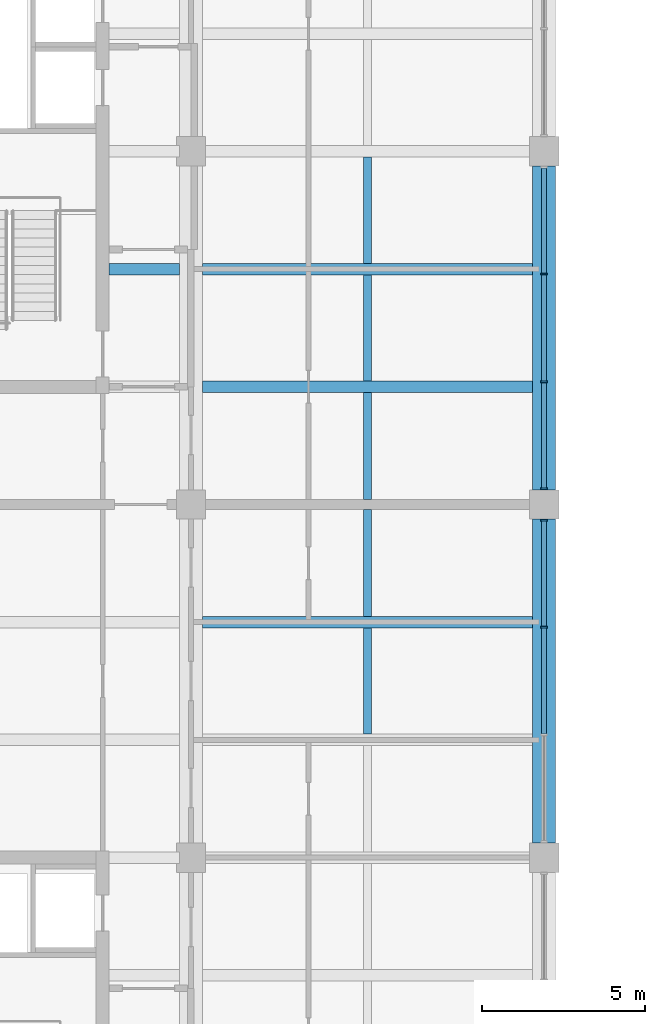
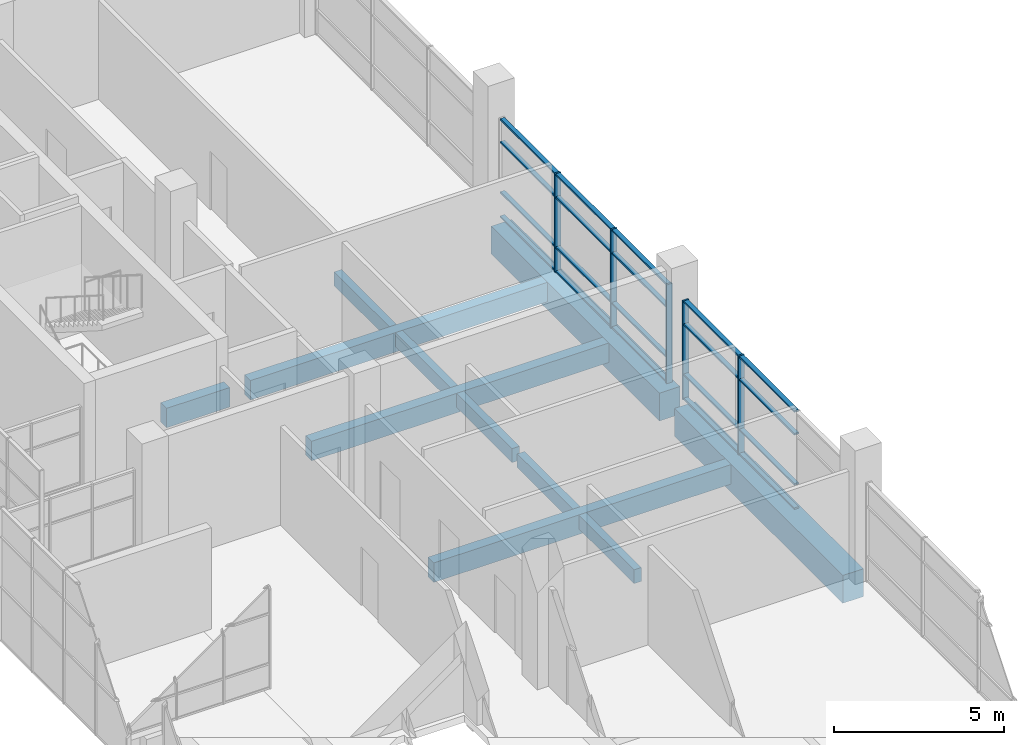
# One storey, part 5 of 23: 25 members, 11 beams, 2 elements without a shape of their own.
"""IFC4 building model written with IfcOpenShell, lengths in metres."""

from ifc_helpers import new_model, si_unit, direction, frame, origin, origin_2d, place, context, subcontext, project, spatial, rectangle, extrude, material, layer, layer_set, material_profile, profile_set, type_object, element, aggregate, save


model = new_model("IFC4")

# Units and contexts
model_context = context("Model", 3, precision=1e-05, world=origin(), true_north=direction((0.0, 1.0)))
body_context = subcontext(model_context, "Body", "Model", "MODEL_VIEW")
ifc_project = project(units=[si_unit("LENGTHUNIT", "METRE"), si_unit("AREAUNIT", "SQUARE_METRE"), si_unit("VOLUMEUNIT", "CUBIC_METRE"), si_unit("PLANEANGLEUNIT", "RADIAN"), si_unit("MASSUNIT", "GRAM", prefix="KILO")], contexts=[model_context])

# Site, building, storey
site_placement = place(None, origin())
site = spatial("IfcSite", under=ifc_project, at=site_placement, CompositionType="ELEMENT")
building_placement = place(site_placement, origin())
building = spatial("IfcBuilding", under=site, at=building_placement, Name="Basin Gate Institute", CompositionType="ELEMENT")
storey_placement = place(building_placement, frame((0.0, 0.0, 46.199951171875)))
storey = spatial("IfcBuildingStorey", under=building, at=storey_placement, Name="L09", CompositionType="ELEMENT", Elevation=46.199951171875)

# Beams
ifc_material_1 = material(Name="Concrete 40 MPa", Category="concrete")
ifc_material_profile_1 = material_profile(ifc_material_1, rectangle(XDim=0.35009765625, YDim=0.699951171875, at=origin_2d()), Name="Beam B1 350 x 700")
ifc_profile_set_1 = profile_set([ifc_material_profile_1], Name="Concrete 40 MPa")
beam_type_1 = type_object("IfcBeamType", Name="Beam B1 R120", PredefinedType="BEAM", material=ifc_profile_set_1)
for number, where, z_axis, x_axis, name in (
    (1, (68.75, 53.10009765625, -0.599853515625), (1.0, 0.0, 0.0), (0.0, 1.0, 0.0), "BEAM/L09/W/EW/06"),
    (2, (68.75, 60.300048828125, -0.599853515625), (1.0, 0.0, 0.0), (0.0, 1.0, 0.0), "BEAM/L09/W/EW/08"),
    (3, (68.75, 63.89990234375, -0.599853515625), (1.0, 0.0, 0.0), (0.0, 1.0, 0.0), "BEAM/L09/W/EW/09"),
):
    element("IfcBeam", number, at=place(storey_placement, frame(where, z_axis=z_axis, x_axis=x_axis)), inside=storey, type_object=beam_type_1, material=ifc_profile_set_1, Name=name, PredefinedType="BEAM", context=body_context, shape_type="SweptSolid", body=[
        extrude(rectangle(XDim=0.35009765625, YDim=0.699951171875, at=origin_2d()), origin(), (0.0, 0.0, 1.0), 10.10009765625),
    ])
beam_1_placement = place(storey_placement, frame((65.89990234375, 63.89990234375, -0.599853515625), z_axis=(1.0, 0.0, 0.0), x_axis=(0.0, 1.0, 0.0)))
element("IfcBeam", 4, at=beam_1_placement, inside=storey, type_object=beam_type_1, material=ifc_profile_set_1, Name="BEAM/L09/W/CORR/09", PredefinedType="BEAM", context=body_context, shape_type="SweptSolid", body=[
    extrude(rectangle(XDim=0.35009765625, YDim=0.699951171875, at=origin_2d()), origin(), (0.0, 0.0, 1.0), 2.150146484375),
])
ifc_material_2 = material(Name="Concrete 50 MPa", Category="concrete")
ifc_material_profile_2 = material_profile(ifc_material_2, rectangle(XDim=0.699951171875, YDim=1.0, at=origin_2d()), Name="Girder G1 700 x 1000")
ifc_profile_set_2 = profile_set([ifc_material_profile_2], Name="Concrete 50 MPa")
beam_type_2 = type_object("IfcBeamType", Name="Girder G1 R120", PredefinedType="BEAM", material=ifc_profile_set_2)
beam_2_placement = place(storey_placement, frame((79.199951171875, 46.35009765625, -0.75), z_axis=(0.0, 1.0, 0.0), x_axis=(-1.0, 0.0, 0.0)))
element("IfcBeam", 5, at=beam_2_placement, inside=storey, type_object=beam_type_2, material=ifc_profile_set_2, Name="GIR/L09/W6/2", PredefinedType="BEAM", context=body_context, shape_type="SweptSolid", body=[
    extrude(rectangle(XDim=0.699951171875, YDim=1.0, at=origin_2d()), origin(), (0.0, 0.0, 1.0), 9.89990234375),
])
beam_3_placement = place(storey_placement, frame((79.199951171875, 57.14990234375, -0.75), z_axis=(0.0, 1.0, 0.0), x_axis=(-1.0, 0.0, 0.0)))
element("IfcBeam", 6, at=beam_3_placement, inside=storey, type_object=beam_type_2, material=ifc_profile_set_2, Name="GIR/L09/W6/3", PredefinedType="BEAM", context=body_context, shape_type="SweptSolid", body=[
    extrude(rectangle(XDim=0.699951171875, YDim=1.0, at=origin_2d()), origin(), (0.0, 0.0, 1.0), 9.900146484375),
])

# Curtain wall, members
ifc_material_3 = material(Name="Aluminium-framed glazing", Category="aluminium")
ifc_layer = layer(ifc_material_3, 0.199951171875)
ifc_layer_set = layer_set([ifc_layer], Name="Atrium curtain wall CW2")
curtain_wall_type = type_object("IfcCurtainWallType", Name="Atrium curtain wall CW2", PredefinedType="NOTDEFINED", material=ifc_layer_set)
curtain_wall_1_placement = place(storey_placement, origin())
curtain_wall_1 = element("IfcCurtainWall", 7, at=curtain_wall_1_placement, inside=storey, type_object=curtain_wall_type, material=ifc_layer_set, Name="Atrium curtain wall W wing atrium bay 2 L09", PredefinedType="NOTDEFINED")
ifc_material_4 = material(Name="Aluminium", Category="aluminium")
ifc_material_profile_3 = material_profile(ifc_material_4, rectangle(XDim=0.199951171875, YDim=0.06005859375, at=origin_2d()), Name="Mullion MU2 200 x 60")
ifc_profile_set_3 = profile_set([ifc_material_profile_3], Name="Aluminium")
member_type_1 = type_object("IfcMemberType", Name="Mullion MU2", PredefinedType="MULLION", material=ifc_profile_set_3)
member_1_placement = place(storey_placement, frame((79.199951171875, 52.949951171875, 0.0), z_axis=(0.0, 0.0, 1.0), x_axis=(-1.0, 0.0, 0.0)))
member_1 = element("IfcMember", 8, at=member_1_placement, type_object=member_type_1, material=ifc_profile_set_3, Name="CW2 mullion 3", PredefinedType="MULLION", context=body_context, shape_type="SweptSolid", body=[
    extrude(rectangle(XDim=0.199951171875, YDim=0.06005859375, at=origin_2d()), origin(), (0.0, 0.0, 1.0), 3.550048828125),
])
member_2_placement = place(storey_placement, frame((79.199951171875, 56.219970703125, 0.0), z_axis=(0.0, 0.0, 1.0), x_axis=(-1.0, 0.0, 0.0)))
member_2 = element("IfcMember", 9, at=member_2_placement, type_object=member_type_1, material=ifc_profile_set_3, Name="CW2 mullion 4", PredefinedType="MULLION", context=body_context, shape_type="SweptSolid", body=[
    extrude(rectangle(XDim=0.199951171875, YDim=0.06005859375, at=origin_2d()), origin(), (0.0, 0.0, 1.0), 3.550048828125),
])

curtain_wall_2_placement = place(storey_placement, origin())
curtain_wall_2 = element("IfcCurtainWall", 10, at=curtain_wall_2_placement, inside=storey, type_object=curtain_wall_type, material=ifc_layer_set, Name="Atrium curtain wall W wing atrium bay 3 L09", PredefinedType="NOTDEFINED")
member_3_placement = place(storey_placement, frame((79.199951171875, 57.179931640625, 0.0), z_axis=(0.0, 0.0, 1.0), x_axis=(-1.0, 0.0, 0.0)))
member_3 = element("IfcMember", 11, at=member_3_placement, type_object=member_type_1, material=ifc_profile_set_3, Name="CW2 mullion 1", PredefinedType="MULLION", context=body_context, shape_type="SweptSolid", body=[
    extrude(rectangle(XDim=0.199951171875, YDim=0.06005859375, at=origin_2d()), origin(), (0.0, 0.0, 1.0), 3.550048828125),
])
member_4_placement = place(storey_placement, frame((79.199951171875, 60.449951171875, 0.0), z_axis=(0.0, 0.0, 1.0), x_axis=(-1.0, 0.0, 0.0)))
member_4 = element("IfcMember", 12, at=member_4_placement, type_object=member_type_1, material=ifc_profile_set_3, Name="CW2 mullion 2", PredefinedType="MULLION", context=body_context, shape_type="SweptSolid", body=[
    extrude(rectangle(XDim=0.199951171875, YDim=0.06005859375, at=origin_2d()), origin(), (0.0, 0.0, 1.0), 3.550048828125),
])
member_5_placement = place(storey_placement, frame((79.199951171875, 63.75, 0.0), z_axis=(0.0, 0.0, 1.0), x_axis=(-1.0, 0.0, 0.0)))
member_5 = element("IfcMember", 13, at=member_5_placement, type_object=member_type_1, material=ifc_profile_set_3, Name="CW2 mullion 3", PredefinedType="MULLION", context=body_context, shape_type="SweptSolid", body=[
    extrude(rectangle(XDim=0.199951171875, YDim=0.06005859375, at=origin_2d()), origin(), (0.0, 0.0, 1.0), 3.550048828125),
])

# Beams
ifc_material_5 = material(Name="Concrete 40 MPa", Category="concrete")
ifc_material_profile_4 = material_profile(ifc_material_5, rectangle(XDim=0.25, YDim=0.5, at=origin_2d()), Name="Rib R1 250 x 500")
ifc_profile_set_4 = profile_set([ifc_material_profile_4], Name="Concrete 40 MPa")
beam_type_3 = type_object("IfcBeamType", Name="Rib R1 R120", PredefinedType="JOIST", material=ifc_profile_set_4)
beam_4_placement = place(storey_placement, frame((73.800048828125, 49.675048828125, -0.5), z_axis=(0.0, 1.0, 0.0), x_axis=(-1.0, 0.0, 0.0)))
element("IfcBeam", 14, at=beam_4_placement, inside=storey, type_object=beam_type_3, material=ifc_profile_set_4, Name="BEAM/L09/W/RIB/05", PredefinedType="JOIST", context=body_context, shape_type="SweptSolid", body=[
    extrude(rectangle(XDim=0.25, YDim=0.5, at=origin_2d()), origin(), (0.0, 0.0, 1.0), 3.25),
])
beam_5_placement = place(storey_placement, frame((73.800048828125, 53.27490234375, -0.5), z_axis=(0.0, 1.0, 0.0), x_axis=(-1.0, 0.0, 0.0)))
element("IfcBeam", 15, at=beam_5_placement, inside=storey, type_object=beam_type_3, material=ifc_profile_set_4, Name="BEAM/L09/W/RIB/06", PredefinedType="JOIST", context=body_context, shape_type="SweptSolid", body=[
    extrude(rectangle(XDim=0.25, YDim=0.5, at=origin_2d()), origin(), (0.0, 0.0, 1.0), 3.275146484375),
])
beam_6_placement = place(storey_placement, frame((73.800048828125, 56.85009765625, -0.5), z_axis=(0.0, 1.0, 0.0), x_axis=(-1.0, 0.0, 0.0)))
element("IfcBeam", 16, at=beam_6_placement, inside=storey, type_object=beam_type_3, material=ifc_profile_set_4, Name="BEAM/L09/W/RIB/07", PredefinedType="JOIST", context=body_context, shape_type="SweptSolid", body=[
    extrude(rectangle(XDim=0.25, YDim=0.5, at=origin_2d()), origin(), (0.0, 0.0, 1.0), 3.27490234375),
])
for number, where, z_axis, x_axis, name in (
    (17, (73.800048828125, 60.47509765625, -0.5), (0.0, 1.0, 0.0), (-1.0, 0.0, 0.0), "BEAM/L09/W/RIB/08"),
    (18, (73.800048828125, 64.074951171875, -0.5), (0.0, 1.0, 0.0), (-1.0, 0.0, 0.0), "BEAM/L09/W/RIB/09"),
):
    element("IfcBeam", number, at=place(storey_placement, frame(where, z_axis=z_axis, x_axis=x_axis)), inside=storey, type_object=beam_type_3, material=ifc_profile_set_4, Name=name, PredefinedType="JOIST", context=body_context, shape_type="SweptSolid", body=[
        extrude(rectangle(XDim=0.25, YDim=0.5, at=origin_2d()), origin(), (0.0, 0.0, 1.0), 3.25),
    ])

# Member
ifc_material_6 = material(Name="Aluminium", Category="aluminium")
ifc_material_profile_5 = material_profile(ifc_material_6, rectangle(XDim=0.14990234375, YDim=0.06005859375, at=origin_2d()), Name="Transom TR2 150 x 60")
ifc_profile_set_5 = profile_set([ifc_material_profile_5], Name="Aluminium")
member_type_2 = type_object("IfcMemberType", Name="Transom TR2", PredefinedType="USERDEFINED", material=ifc_profile_set_5)
member_6_placement = place(storey_placement, frame((79.199951171875, 49.679931640625, 0.030029296875), z_axis=(0.0, 1.0, 0.0), x_axis=(-1.0, 0.0, 0.0)))
member_6 = element("IfcMember", 19, at=member_6_placement, type_object=member_type_2, material=ifc_profile_set_5, Name="CW2 transom 2.1", ObjectType="TRANSOM", PredefinedType="USERDEFINED", context=body_context, shape_type="SweptSolid", body=[
    extrude(rectangle(XDim=0.14990234375, YDim=0.06005859375, at=origin_2d()), origin(), (0.0, 0.0, 1.0), 3.239990234375),
])

member_7_placement = place(storey_placement, frame((79.199951171875, 49.679931640625, 0.900146484375), z_axis=(0.0, 1.0, 0.0), x_axis=(-1.0, 0.0, 0.0)))
member_7 = element("IfcMember", 20, at=member_7_placement, type_object=member_type_2, material=ifc_profile_set_5, Name="CW2 transom 2.2", ObjectType="TRANSOM", PredefinedType="USERDEFINED", context=body_context, shape_type="SweptSolid", body=[
    extrude(rectangle(XDim=0.14990234375, YDim=0.06005859375, at=origin_2d()), origin(), (0.0, 0.0, 1.0), 3.239990234375),
])

member_8_placement = place(storey_placement, frame((79.199951171875, 49.679931640625, 2.699951171875), z_axis=(0.0, 1.0, 0.0), x_axis=(-1.0, 0.0, 0.0)))
member_8 = element("IfcMember", 21, at=member_8_placement, type_object=member_type_2, material=ifc_profile_set_5, Name="CW2 transom 2.3", ObjectType="TRANSOM", PredefinedType="USERDEFINED", context=body_context, shape_type="SweptSolid", body=[
    extrude(rectangle(XDim=0.14990234375, YDim=0.06005859375, at=origin_2d()), origin(), (0.0, 0.0, 1.0), 3.239990234375),
])

member_9_placement = place(storey_placement, frame((79.199951171875, 49.679931640625, 3.52001953125), z_axis=(0.0, 1.0, 0.0), x_axis=(-1.0, 0.0, 0.0)))
member_9 = element("IfcMember", 22, at=member_9_placement, type_object=member_type_2, material=ifc_profile_set_5, Name="CW2 transom 2.4", ObjectType="TRANSOM", PredefinedType="USERDEFINED", context=body_context, shape_type="SweptSolid", body=[
    extrude(rectangle(XDim=0.14990234375, YDim=0.06005859375, at=origin_2d()), origin(), (0.0, 0.0, 1.0), 3.239990234375),
])

member_10_placement = place(storey_placement, frame((79.199951171875, 52.97998046875, 0.030029296875), z_axis=(0.0, 1.0, 0.0), x_axis=(-1.0, 0.0, 0.0)))
member_10 = element("IfcMember", 23, at=member_10_placement, type_object=member_type_2, material=ifc_profile_set_5, Name="CW2 transom 3.1", ObjectType="TRANSOM", PredefinedType="USERDEFINED", context=body_context, shape_type="SweptSolid", body=[
    extrude(rectangle(XDim=0.14990234375, YDim=0.06005859375, at=origin_2d()), origin(), (0.0, 0.0, 1.0), 3.2099609375),
])

member_11_placement = place(storey_placement, frame((79.199951171875, 52.97998046875, 0.900146484375), z_axis=(0.0, 1.0, 0.0), x_axis=(-1.0, 0.0, 0.0)))
member_11 = element("IfcMember", 24, at=member_11_placement, type_object=member_type_2, material=ifc_profile_set_5, Name="CW2 transom 3.2", ObjectType="TRANSOM", PredefinedType="USERDEFINED", context=body_context, shape_type="SweptSolid", body=[
    extrude(rectangle(XDim=0.14990234375, YDim=0.06005859375, at=origin_2d()), origin(), (0.0, 0.0, 1.0), 3.2099609375),
])

member_12_placement = place(storey_placement, frame((79.199951171875, 52.97998046875, 2.699951171875), z_axis=(0.0, 1.0, 0.0), x_axis=(-1.0, 0.0, 0.0)))
member_12 = element("IfcMember", 25, at=member_12_placement, type_object=member_type_2, material=ifc_profile_set_5, Name="CW2 transom 3.3", ObjectType="TRANSOM", PredefinedType="USERDEFINED", context=body_context, shape_type="SweptSolid", body=[
    extrude(rectangle(XDim=0.14990234375, YDim=0.06005859375, at=origin_2d()), origin(), (0.0, 0.0, 1.0), 3.2099609375),
])

member_13_placement = place(storey_placement, frame((79.199951171875, 52.97998046875, 3.52001953125), z_axis=(0.0, 1.0, 0.0), x_axis=(-1.0, 0.0, 0.0)))
member_13 = element("IfcMember", 26, at=member_13_placement, type_object=member_type_2, material=ifc_profile_set_5, Name="CW2 transom 3.4", ObjectType="TRANSOM", PredefinedType="USERDEFINED", context=body_context, shape_type="SweptSolid", body=[
    extrude(rectangle(XDim=0.14990234375, YDim=0.06005859375, at=origin_2d()), origin(), (0.0, 0.0, 1.0), 3.2099609375),
])

aggregate(curtain_wall_1, [member_1, member_2, member_6, member_7, member_8, member_9, member_10, member_11, member_12, member_13])

member_14_placement = place(storey_placement, frame((79.199951171875, 57.2099609375, 0.030029296875), z_axis=(0.0, 1.0, 0.0), x_axis=(-1.0, 0.0, 0.0)))
member_14 = element("IfcMember", 27, at=member_14_placement, type_object=member_type_2, material=ifc_profile_set_5, Name="CW2 transom 1.1", ObjectType="TRANSOM", PredefinedType="USERDEFINED", context=body_context, shape_type="SweptSolid", body=[
    extrude(rectangle(XDim=0.14990234375, YDim=0.06005859375, at=origin_2d()), origin(), (0.0, 0.0, 1.0), 3.2099609375),
])

member_15_placement = place(storey_placement, frame((79.199951171875, 57.2099609375, 0.900146484375), z_axis=(0.0, 1.0, 0.0), x_axis=(-1.0, 0.0, 0.0)))
member_15 = element("IfcMember", 28, at=member_15_placement, type_object=member_type_2, material=ifc_profile_set_5, Name="CW2 transom 1.2", ObjectType="TRANSOM", PredefinedType="USERDEFINED", context=body_context, shape_type="SweptSolid", body=[
    extrude(rectangle(XDim=0.14990234375, YDim=0.06005859375, at=origin_2d()), origin(), (0.0, 0.0, 1.0), 3.2099609375),
])

member_16_placement = place(storey_placement, frame((79.199951171875, 57.2099609375, 2.699951171875), z_axis=(0.0, 1.0, 0.0), x_axis=(-1.0, 0.0, 0.0)))
member_16 = element("IfcMember", 29, at=member_16_placement, type_object=member_type_2, material=ifc_profile_set_5, Name="CW2 transom 1.3", ObjectType="TRANSOM", PredefinedType="USERDEFINED", context=body_context, shape_type="SweptSolid", body=[
    extrude(rectangle(XDim=0.14990234375, YDim=0.06005859375, at=origin_2d()), origin(), (0.0, 0.0, 1.0), 3.2099609375),
])

member_17_placement = place(storey_placement, frame((79.199951171875, 57.2099609375, 3.52001953125), z_axis=(0.0, 1.0, 0.0), x_axis=(-1.0, 0.0, 0.0)))
member_17 = element("IfcMember", 30, at=member_17_placement, type_object=member_type_2, material=ifc_profile_set_5, Name="CW2 transom 1.4", ObjectType="TRANSOM", PredefinedType="USERDEFINED", context=body_context, shape_type="SweptSolid", body=[
    extrude(rectangle(XDim=0.14990234375, YDim=0.06005859375, at=origin_2d()), origin(), (0.0, 0.0, 1.0), 3.2099609375),
])

member_18_placement = place(storey_placement, frame((79.199951171875, 60.47998046875, 0.030029296875), z_axis=(0.0, 1.0, 0.0), x_axis=(-1.0, 0.0, 0.0)))
member_18 = element("IfcMember", 31, at=member_18_placement, type_object=member_type_2, material=ifc_profile_set_5, Name="CW2 transom 2.1", ObjectType="TRANSOM", PredefinedType="USERDEFINED", context=body_context, shape_type="SweptSolid", body=[
    extrude(rectangle(XDim=0.14990234375, YDim=0.06005859375, at=origin_2d()), origin(), (0.0, 0.0, 1.0), 3.239990234375),
])

member_19_placement = place(storey_placement, frame((79.199951171875, 60.47998046875, 0.900146484375), z_axis=(0.0, 1.0, 0.0), x_axis=(-1.0, 0.0, 0.0)))
member_19 = element("IfcMember", 32, at=member_19_placement, type_object=member_type_2, material=ifc_profile_set_5, Name="CW2 transom 2.2", ObjectType="TRANSOM", PredefinedType="USERDEFINED", context=body_context, shape_type="SweptSolid", body=[
    extrude(rectangle(XDim=0.14990234375, YDim=0.06005859375, at=origin_2d()), origin(), (0.0, 0.0, 1.0), 3.239990234375),
])

member_20_placement = place(storey_placement, frame((79.199951171875, 60.47998046875, 2.699951171875), z_axis=(0.0, 1.0, 0.0), x_axis=(-1.0, 0.0, 0.0)))
member_20 = element("IfcMember", 33, at=member_20_placement, type_object=member_type_2, material=ifc_profile_set_5, Name="CW2 transom 2.3", ObjectType="TRANSOM", PredefinedType="USERDEFINED", context=body_context, shape_type="SweptSolid", body=[
    extrude(rectangle(XDim=0.14990234375, YDim=0.06005859375, at=origin_2d()), origin(), (0.0, 0.0, 1.0), 3.239990234375),
])

member_21_placement = place(storey_placement, frame((79.199951171875, 60.47998046875, 3.52001953125), z_axis=(0.0, 1.0, 0.0), x_axis=(-1.0, 0.0, 0.0)))
member_21 = element("IfcMember", 34, at=member_21_placement, type_object=member_type_2, material=ifc_profile_set_5, Name="CW2 transom 2.4", ObjectType="TRANSOM", PredefinedType="USERDEFINED", context=body_context, shape_type="SweptSolid", body=[
    extrude(rectangle(XDim=0.14990234375, YDim=0.06005859375, at=origin_2d()), origin(), (0.0, 0.0, 1.0), 3.239990234375),
])

member_22_placement = place(storey_placement, frame((79.199951171875, 63.780029296875, 0.030029296875), z_axis=(0.0, 1.0, 0.0), x_axis=(-1.0, 0.0, 0.0)))
member_22 = element("IfcMember", 35, at=member_22_placement, type_object=member_type_2, material=ifc_profile_set_5, Name="CW2 transom 3.1", ObjectType="TRANSOM", PredefinedType="USERDEFINED", context=body_context, shape_type="SweptSolid", body=[
    extrude(rectangle(XDim=0.14990234375, YDim=0.06005859375, at=origin_2d()), origin(), (0.0, 0.0, 1.0), 3.2099609375),
])

member_23_placement = place(storey_placement, frame((79.199951171875, 63.780029296875, 0.900146484375), z_axis=(0.0, 1.0, 0.0), x_axis=(-1.0, 0.0, 0.0)))
member_23 = element("IfcMember", 36, at=member_23_placement, type_object=member_type_2, material=ifc_profile_set_5, Name="CW2 transom 3.2", ObjectType="TRANSOM", PredefinedType="USERDEFINED", context=body_context, shape_type="SweptSolid", body=[
    extrude(rectangle(XDim=0.14990234375, YDim=0.06005859375, at=origin_2d()), origin(), (0.0, 0.0, 1.0), 3.2099609375),
])

member_24_placement = place(storey_placement, frame((79.199951171875, 63.780029296875, 2.699951171875), z_axis=(0.0, 1.0, 0.0), x_axis=(-1.0, 0.0, 0.0)))
member_24 = element("IfcMember", 37, at=member_24_placement, type_object=member_type_2, material=ifc_profile_set_5, Name="CW2 transom 3.3", ObjectType="TRANSOM", PredefinedType="USERDEFINED", context=body_context, shape_type="SweptSolid", body=[
    extrude(rectangle(XDim=0.14990234375, YDim=0.06005859375, at=origin_2d()), origin(), (0.0, 0.0, 1.0), 3.2099609375),
])

member_25_placement = place(storey_placement, frame((79.199951171875, 63.780029296875, 3.52001953125), z_axis=(0.0, 1.0, 0.0), x_axis=(-1.0, 0.0, 0.0)))
member_25 = element("IfcMember", 38, at=member_25_placement, type_object=member_type_2, material=ifc_profile_set_5, Name="CW2 transom 3.4", ObjectType="TRANSOM", PredefinedType="USERDEFINED", context=body_context, shape_type="SweptSolid", body=[
    extrude(rectangle(XDim=0.14990234375, YDim=0.06005859375, at=origin_2d()), origin(), (0.0, 0.0, 1.0), 3.2099609375),
])

aggregate(curtain_wall_2, [member_3, member_4, member_5, member_14, member_15, member_16, member_17, member_18, member_19, member_20, member_21, member_22, member_23, member_24, member_25])

save(model, "model.ifc")
